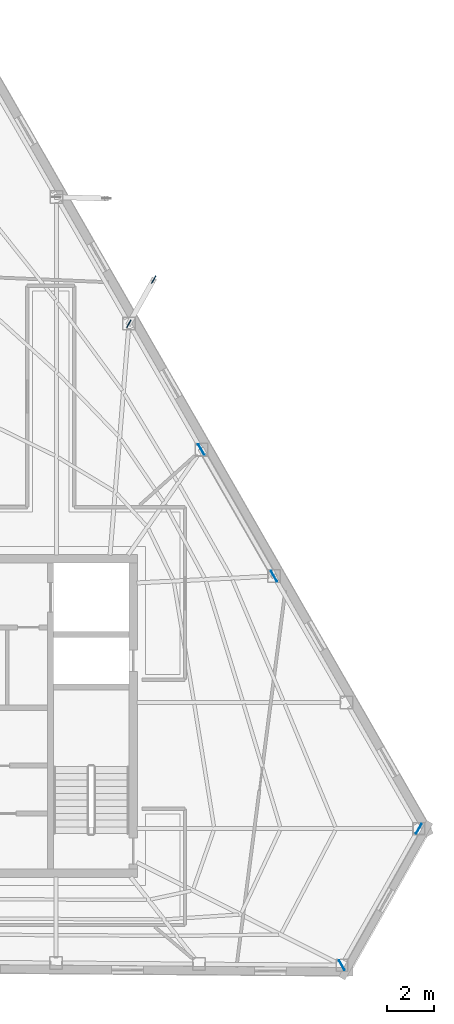
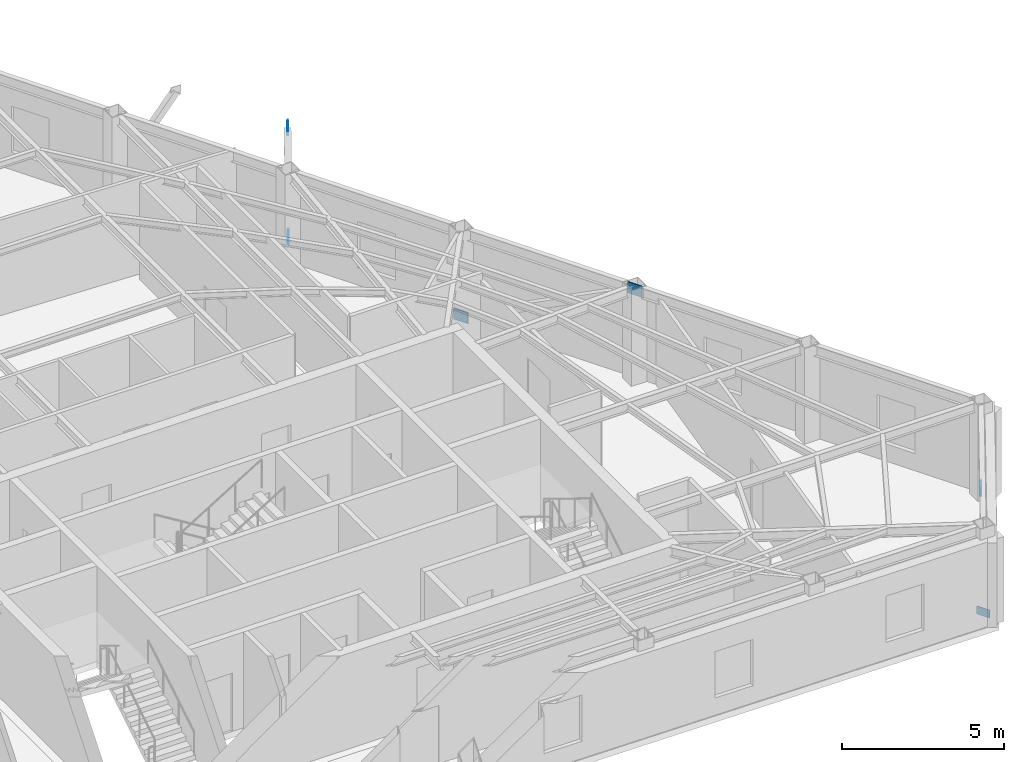
# One storey, part 5 of 10: 6 plates.
"""IFC4 building model written with IfcOpenShell, lengths in metres."""

from ifc_helpers import new_model, si_unit, direction, frame, origin, origin_2d, place, context, subcontext, project, spatial, rectangle, extrude, material, layer, layer_set, type_object, element, save


model = new_model("IFC4")

# Units and contexts
model_context = context("Model", 3, precision=1e-05, world=origin(), true_north=direction((0.0, 1.0)))
body_context = subcontext(model_context, "Body", "Model", "MODEL_VIEW")
ifc_project = project(units=[si_unit("LENGTHUNIT", "METRE"), si_unit("AREAUNIT", "SQUARE_METRE"), si_unit("VOLUMEUNIT", "CUBIC_METRE"), si_unit("PLANEANGLEUNIT", "RADIAN"), si_unit("MASSUNIT", "GRAM", prefix="KILO")], contexts=[model_context])

# Site, building, storey
site_placement = place(None, origin())
site = spatial("IfcSite", under=ifc_project, at=site_placement, CompositionType="ELEMENT")
building_placement = place(site_placement, origin())
building = spatial("IfcBuilding", under=site, at=building_placement, Name="Kavelnor Concourse Tower", CompositionType="ELEMENT")
storey_placement = place(building_placement, frame((0.0, 0.0, 243.35009765625)))
storey = spatial("IfcBuildingStorey", under=building, at=storey_placement, Name="L61", CompositionType="ELEMENT", Elevation=243.35009765625)

# Plates
ifc_material = material(Name="Steel Grade 350", Category="steel")
ifc_layer_1 = layer(ifc_material, 0.028076171875, Name="Steel Grade 350")
ifc_layer_set_1 = layer_set([ifc_layer_1], Name="Steel Grade 350")
plate_type_1 = type_object("IfcPlateType", Name="PL-GUSSET-FOLD", PredefinedType="USERDEFINED", material=ifc_layer_set_1)
for number, where, z_axis, x_axis, name in (
    (1, (56.585205078125, 5.49609375, 0.10009765625), (0.0, 0.0, 1.0), (-0.5, 0.866025403784, 0.0), "L61 Herringbone Corner-Fold Kink Gusset Plate F1-B6"),
    (2, (59.8583984375, 11.307861328125, 0.10009765625), (0.0, 0.0, 1.0), (-0.5, -0.866025403784, 0.0), "L61 Herringbone Corner-Fold Kink Gusset Plate F2-B0"),
):
    element("IfcPlate", number, at=place(storey_placement, frame(where, z_axis=z_axis, x_axis=x_axis)), inside=storey, type_object=plate_type_1, Name=name, ObjectType="GUSSET_PLATE", PredefinedType="USERDEFINED", context=body_context, shape_type="SweptSolid", body=[
        extrude(rectangle(XDim=0.4599609375, YDim=0.028076171875, at=origin_2d()), origin(), (0.0, 0.0, 1.0), 0.300048828125),
    ])
for number, where, z_axis, x_axis, name in (
    (3, (47.523193359375, 32.7919921875, 0.8798828125), (0.0, 0.0, 1.0), (0.490447519859, 0.871470728289, 0.0), "L61 Balcony Strut Gusset GP4 1-A End Gusset A"),
    (4, (48.578369140625, 34.66650390625, 3.48486328125), (0.0, 0.0, 1.0), (0.490447519859, 0.871470728289, 0.0), "L61 Balcony Strut Gusset GP4 1-A End Gusset B"),
):
    element("IfcPlate", number, at=place(storey_placement, frame(where, z_axis=z_axis, x_axis=x_axis)), inside=storey, type_object=plate_type_1, Name=name, ObjectType="GUSSET_PLATE", PredefinedType="USERDEFINED", context=body_context, shape_type="SweptSolid", body=[
        extrude(rectangle(XDim=0.360107421875, YDim=0.028076171875, at=origin_2d()), origin(), (0.0, 0.0, 1.0), 0.340087890625),
    ])
ifc_layer_2 = layer(ifc_material, 0.031982421875, Name="Steel Grade 350")
ifc_layer_set_2 = layer_set([ifc_layer_2], Name="Steel Grade 350")
plate_type_2 = type_object("IfcPlateType", Name="PL-GUSSET-TUBE-Z1", PredefinedType="USERDEFINED", material=ifc_layer_set_2)
for number, where, z_axis, x_axis, name in (
    (5, (50.60546875, 27.439208984375, 0.010009765625), (0.0, 0.0, 1.0), (0.497579654441, -0.867418288651, 0.0), "L61 Tube Brace Gusset GP3 F2-B2 End Gusset A"),
    (6, (53.69970703125, 22.044921875, 3.197021484375), (0.0, 0.0, 1.0), (0.497579654441, -0.867418288651, 0.0), "L61 Tube Brace Gusset GP3 F2-B2 End Gusset B"),
):
    element("IfcPlate", number, at=place(storey_placement, frame(where, z_axis=z_axis, x_axis=x_axis)), inside=storey, type_object=plate_type_2, Name=name, ObjectType="GUSSET_PLATE", PredefinedType="USERDEFINED", context=body_context, shape_type="SweptSolid", body=[
        extrude(rectangle(XDim=0.52001953125, YDim=0.031982421875, at=origin_2d()), origin(), (0.0, 0.0, 1.0), 0.419921875),
    ])

save(model, "model.ifc")
